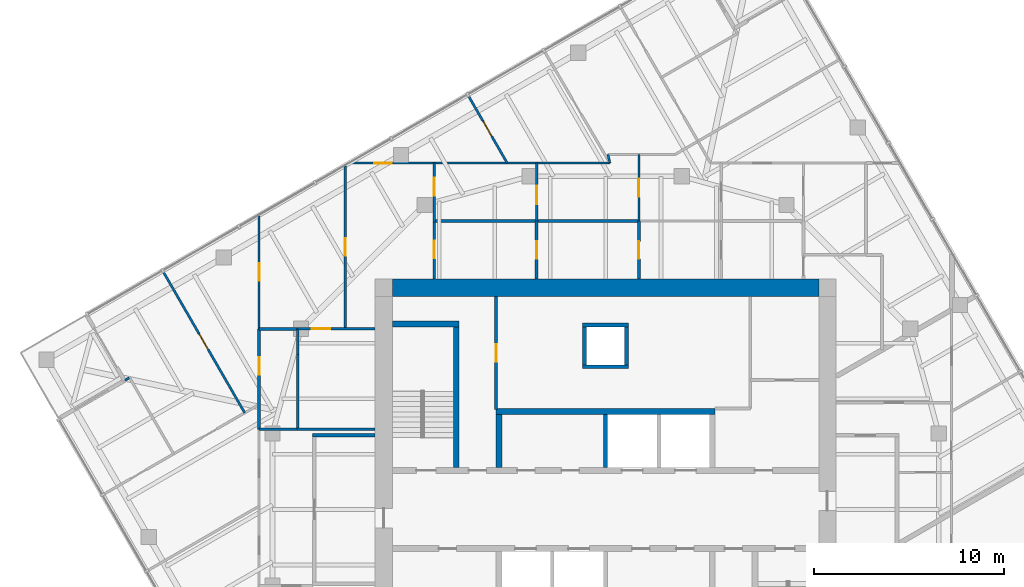
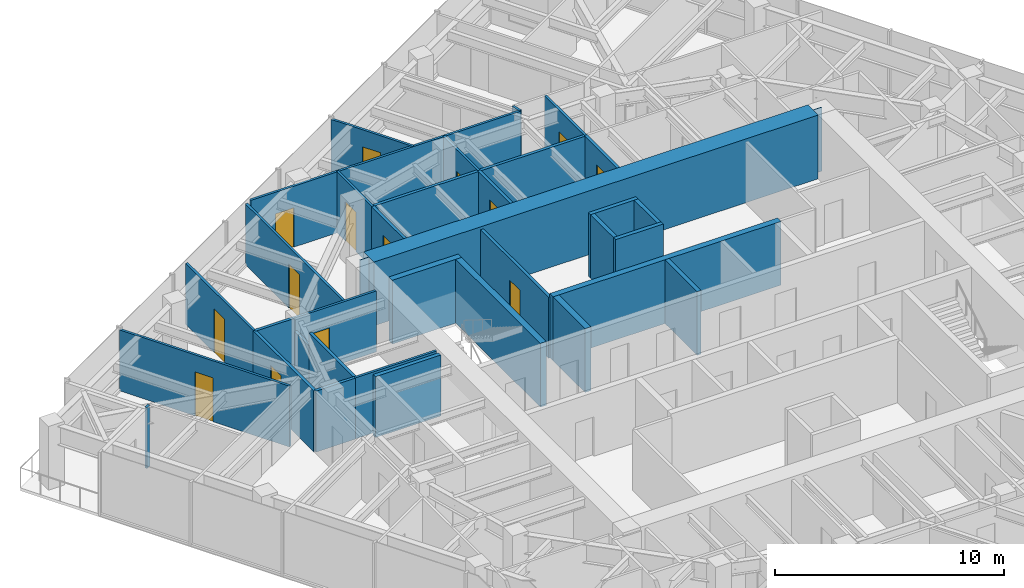
# One storey, part 10 of 13: 33 walls, 14 doors, 14 openings.
"""IFC4 building model written with IfcOpenShell, lengths in metres."""

from ifc_helpers import new_model, si_unit, direction, frame, frame_2d, origin, place, context, subcontext, project, spatial, polyline, rectangle, outline, extrude, material, layer, layer_set, type_object, element, fill, save


model = new_model("IFC4")

# Units and contexts
model_context = context("Model", 3, precision=1e-05, world=origin(), true_north=direction((0.0, 1.0)))
body_context = subcontext(model_context, "Body", "Model", "MODEL_VIEW")
ifc_project = project(units=[si_unit("LENGTHUNIT", "METRE"), si_unit("AREAUNIT", "SQUARE_METRE"), si_unit("VOLUMEUNIT", "CUBIC_METRE"), si_unit("PLANEANGLEUNIT", "RADIAN"), si_unit("MASSUNIT", "GRAM", prefix="KILO")], contexts=[model_context])

# Site, building, storey
site_placement = place(None, origin())
site = spatial("IfcSite", under=ifc_project, at=site_placement, CompositionType="ELEMENT")
building_placement = place(site_placement, origin())
building = spatial("IfcBuilding", under=site, at=building_placement, Name="Torsade Residences", CompositionType="ELEMENT")
storey_placement = place(building_placement, frame((0.0, 0.0, 228.60009765625)))
storey = spatial("IfcBuildingStorey", under=building, at=storey_placement, Name="L63", CompositionType="ELEMENT", Elevation=228.60009765625)

# Walls
ifc_material_1 = material(Name="Concrete 80 MPa", Category="concrete")
ifc_layer_1 = layer(ifc_material_1, 0.300048828125)
ifc_layer_set_1 = layer_set([ifc_layer_1], Name="Concrete 80 MPa")
wall_type_1 = type_object("IfcWallType", Name="CORE INTERNAL WALL 300", PredefinedType="SHEAR", material=ifc_layer_set_1)
wall_1_placement = place(storey_placement, frame((34.25, 35.14990234375, 0.0), z_axis=(0.0, 0.0, 1.0), x_axis=(1.0, 0.0, 0.0)))
element("IfcWall", 1, at=wall_1_placement, inside=storey, type_object=wall_type_1, Name="Core wall BN L63", PredefinedType="SHEAR", context=body_context, shape_type="SweptSolid", body=[
    extrude(rectangle(XDim=11.5, YDim=0.300048828125, at=frame_2d((5.75, 0.0))), origin(), (0.0, 0.0, 1.0), 3.39990234375),
])
wall_2_placement = place(storey_placement, frame((34.39990234375, 32.199951171875, 0.0), z_axis=(0.0, 0.0, 1.0), x_axis=(0.0, 1.0, 0.0)))
element("IfcWall", 2, at=wall_2_placement, inside=storey, type_object=wall_type_1, Name="Core wall DN0 L63", PredefinedType="SHEAR", context=body_context, shape_type="SweptSolid", body=[
    extrude(rectangle(XDim=2.800048828125, YDim=0.300048828125, at=frame_2d((1.39990234375, 0.0))), origin(), (0.0, 0.0, 1.0), 3.39990234375),
])
wall_3_placement = place(storey_placement, frame((32.14990234375, 32.199951171875, 0.0), z_axis=(0.0, 0.0, 1.0), x_axis=(0.0, 1.0, 0.0)))
element("IfcWall", 3, at=wall_3_placement, inside=storey, type_object=wall_type_1, Name="Core wall ST1E L63", PredefinedType="SHEAR", context=body_context, shape_type="SweptSolid", body=[
    extrude(rectangle(XDim=7.699951171875, YDim=0.300048828125, at=frame_2d((3.85009765625, 0.0))), origin(), (0.0, 0.0, 1.0), 3.39990234375),
])
wall_4_placement = place(storey_placement, frame((28.800048828125, 39.75, 0.0), z_axis=(0.0, 0.0, 1.0), x_axis=(1.0, 0.0, 0.0)))
element("IfcWall", 4, at=wall_4_placement, inside=storey, type_object=wall_type_1, Name="Core wall ST1N L63", PredefinedType="SHEAR", context=body_context, shape_type="SweptSolid", body=[
    extrude(rectangle(XDim=3.5, YDim=0.300048828125, at=frame_2d((1.75, 0.0))), origin(), (0.0, 0.0, 1.0), 3.39990234375),
])
ifc_material_2 = material(Name="Concrete 80 MPa", Category="concrete")
ifc_layer_2 = layer(ifc_material_2, 0.89990234375)
ifc_layer_set_2 = layer_set([ifc_layer_2], Name="Concrete 80 MPa")
wall_type_2 = type_object("IfcWallType", Name="CORE WALL 900", PredefinedType="SHEAR", material=ifc_layer_set_2)
wall_5_placement = place(storey_placement, frame((28.800048828125, 41.64990234375, 0.0), z_axis=(0.0, 0.0, 1.0), x_axis=(1.0, 0.0, 0.0)))
element("IfcWall", 5, at=wall_5_placement, inside=storey, type_object=wall_type_2, Name="Core wall N L63", PredefinedType="SHEAR", context=body_context, shape_type="SweptSolid", body=[
    extrude(outline(polyline([(0.0, -0.449951171875), (22.39990234375, -0.449951171875), (22.39990234375, -0.02490234375), (22.849853515625, -0.02490234375), (22.849853515625, 0.02490234375), (22.39990234375, 0.02490234375), (22.39990234375, 0.449951171875), (0.0, 0.449951171875), (0.0, 0.02490234375), (-0.449951171875, 0.02490234375), (-0.449951171875, -0.02490234375), (0.0, -0.02490234375), (0.0, -0.449951171875)])), origin(), (0.0, 0.0, 1.0), 3.39990234375),
])
ifc_material_3 = material(Name="Plasterboard on steel stud", Category="steel")
ifc_layer_3 = layer(ifc_material_3, 0.199951171875)
ifc_layer_set_3 = layer_set([ifc_layer_3], Name="Plasterboard on steel stud")
wall_type_3 = type_object("IfcWallType", Name="CORRIDOR WALL 200", PredefinedType="PARTITIONING", material=ifc_layer_set_3)
wall_6_placement = place(storey_placement, frame((27.89990234375, 33.89990234375, 0.0), z_axis=(0.0, 0.0, 1.0), x_axis=(-1.0, 0.0, 0.0)))
element("IfcWall", 6, at=wall_6_placement, inside=storey, type_object=wall_type_3, Name="Corridor wall L63", PredefinedType="PARTITIONING", context=body_context, shape_type="SweptSolid", body=[
    extrude(rectangle(XDim=3.2998046875, YDim=0.199951171875, at=frame_2d((1.64990234375, 0.0))), origin(), (0.0, 0.0, 1.0), 3.25),
])
ifc_material_4 = material(Name="Reinforced blockwork", Category="masonry")
ifc_layer_4 = layer(ifc_material_4, 0.199951171875)
ifc_layer_set_4 = layer_set([ifc_layer_4], Name="Reinforced blockwork")
wall_type_4 = type_object("IfcWallType", Name="LIFT SHAFT DIVIDING WALL 200", PredefinedType="SOLIDWALL", material=ifc_layer_set_4)
wall_7_placement = place(storey_placement, frame((40.0, 32.199951171875, 0.0), z_axis=(0.0, 0.0, 1.0), x_axis=(0.0, 1.0, 0.0)))
element("IfcWall", 7, at=wall_7_placement, inside=storey, type_object=wall_type_4, Name="Core wall DN2 L63", PredefinedType="SOLIDWALL", context=body_context, shape_type="SweptSolid", body=[
    extrude(rectangle(XDim=2.800048828125, YDim=0.199951171875, at=frame_2d((1.39990234375, 0.0))), origin(), (0.0, 0.0, 1.0), 3.39990234375),
])
ifc_material_5 = material(Name="Plasterboard on steel stud", Category="steel")
ifc_layer_5 = layer(ifc_material_5, 0.1201171875)
ifc_layer_set_5 = layer_set([ifc_layer_5], Name="Plasterboard on steel stud")
wall_type_5 = type_object("IfcWallType", Name="PARTITION 120", PredefinedType="PARTITIONING", material=ifc_layer_set_5)
wall_8_placement = place(storey_placement, frame((23.783203125, 34.2158203125, 0.0), z_axis=(0.0, 0.0, 1.0), x_axis=(1.0, 0.0, 0.0)))
element("IfcWall", 8, at=wall_8_placement, inside=storey, type_object=wall_type_5, Name="Partition L63", PredefinedType="PARTITIONING", context=body_context, shape_type="SweptSolid", body=[
    extrude(rectangle(XDim=4.11669921875, YDim=0.1201171875, at=frame_2d((2.058349609375, 0.0))), origin(), (0.0, 0.0, 1.0), 3.25),
])

# Wall, opening, door
wall_9_placement = place(storey_placement, frame((26.322021484375, 39.489501953125, 0.0), z_axis=(0.0, 0.0, 1.0), x_axis=(0.0, 1.0, 0.0)))
wall_9 = element("IfcWall", 9, at=wall_9_placement, inside=storey, type_object=wall_type_5, Name="Partition L63", PredefinedType="PARTITIONING", context=body_context, shape_type="SweptSolid", body=[
    extrude(rectangle(XDim=8.548095703125, YDim=0.1201171875, at=frame_2d((4.27392578125, 0.0))), origin(), (0.0, 0.0, 1.0), 3.25),
])
opening_1_placement = place(wall_9_placement, frame((3.837158203125, 0.0, 0.0)))
opening_1 = element("IfcOpeningElement", 10, at=opening_1_placement, cuts=wall_9, Name="Opening D02", PredefinedType="OPENING", context=body_context, shape_type="SweptSolid", body=[
    extrude(rectangle(XDim=0.919921875, YDim=2.340087890625, at=frame_2d((0.4599609375, 1.169921875))), frame((0.0, 0.070068359375, 0.0), z_axis=(0.0, -1.0, 0.0), x_axis=(1.0, 0.0, 0.0)), (0.0, 0.0, 1.0), 0.14013671875),
])
ifc_material_6 = material(Name="Hollow-core timber door", Category="wood")
door_type_1 = type_object("IfcDoorType", Name="INTERNAL DOOR 920x2340", OperationType="NOTDEFINED", PredefinedType="DOOR", material=ifc_material_6)
door_1_placement = place(opening_1_placement, origin())
door_1 = element("IfcDoor", 11, at=door_1_placement, inside=storey, type_object=door_type_1, Name="Door Pantry to Scullery", OperationType="SINGLE_SWING_LEFT", OverallHeight=2.340087890625, OverallWidth=0.919921875, PredefinedType="DOOR", context=body_context, shape_type="SweptSolid", body=[
    extrude(rectangle(XDim=0.919921875, YDim=2.340087890625, at=frame_2d((0.4599609375, 1.169921875))), frame((0.0, 0.02490234375, 0.0), z_axis=(0.0, -1.0, 0.0), x_axis=(1.0, 0.0, 0.0)), (0.0, 0.0, 1.0), 0.050048828125),
])
fill(opening_1, door_1)

wall_10_placement = place(storey_placement, frame((27.89990234375, 39.489501953125, 0.0), z_axis=(0.0, 0.0, 1.0), x_axis=(-1.0, 0.0, 0.0)))
wall_10 = element("IfcWall", 12, at=wall_10_placement, inside=storey, type_object=wall_type_5, Name="Partition L63", PredefinedType="PARTITIONING", context=body_context, shape_type="SweptSolid", body=[
    extrude(rectangle(XDim=4.116455078125, YDim=0.1201171875, at=frame_2d((2.05810546875, 0.0))), origin(), (0.0, 0.0, 1.0), 3.25),
])
opening_2_placement = place(wall_10_placement, frame((2.367431640625, 0.0, 0.0)))
opening_2 = element("IfcOpeningElement", 13, at=opening_2_placement, cuts=wall_10, Name="Opening D05", PredefinedType="OPENING", context=body_context, shape_type="SweptSolid", body=[
    extrude(rectangle(XDim=0.9599609375, YDim=2.10009765625, at=frame_2d((0.47998046875, 1.050048828125))), frame((0.0, 0.070068359375, 0.0), z_axis=(0.0, -1.0, 0.0), x_axis=(1.0, 0.0, 0.0)), (0.0, 0.0, 1.0), 0.14013671875),
])
ifc_material_7 = material(Name="Hollow-core timber door in a steel cavity frame", Category="steel")
door_type_2 = type_object("IfcDoorType", Name="BATHROOM CAVITY SLIDING DOOR 960", OperationType="SLIDING_TO_LEFT", PredefinedType="DOOR", material=ifc_material_7)
door_2_placement = place(opening_2_placement, origin())
door_2 = element("IfcDoor", 14, at=door_2_placement, inside=storey, type_object=door_type_2, Name="Door Pantry to Laundry", OperationType="SLIDING_TO_LEFT", OverallHeight=2.10009765625, OverallWidth=0.9599609375, PredefinedType="DOOR", context=body_context, shape_type="SweptSolid", body=[
    extrude(rectangle(XDim=0.9599609375, YDim=2.10009765625, at=frame_2d((0.47998046875, 1.050048828125))), frame((0.0, 0.02490234375, 0.0), z_axis=(0.0, -1.0, 0.0), x_axis=(1.0, 0.0, 0.0)), (0.0, 0.0, 1.0), 0.050048828125),
])
fill(opening_2, door_2)

wall_11_placement = place(storey_placement, frame((31.002685546875, 48.199951171875, 0.0), z_axis=(0.0, 0.0, 1.0), x_axis=(0.0, -1.0, 0.0)))
wall_11 = element("IfcWall", 15, at=wall_11_placement, inside=storey, type_object=wall_type_5, Name="Partition L63", PredefinedType="PARTITIONING", context=body_context, shape_type="SweptSolid", body=[
    extrude(rectangle(XDim=3.099853515625, YDim=0.1201171875, at=frame_2d((1.5498046875, 0.0))), origin(), (0.0, 0.0, 1.0), 3.25),
])
opening_3_placement = place(wall_11_placement, frame((0.77001953125, 0.0, 0.0)))
opening_3 = element("IfcOpeningElement", 16, at=opening_3_placement, cuts=wall_11, Name="Opening D05", PredefinedType="OPENING", context=body_context, shape_type="SweptSolid", body=[
    extrude(rectangle(XDim=0.9599609375, YDim=2.10009765625, at=frame_2d((0.47998046875, 1.050048828125))), frame((0.0, 0.070068359375, 0.0), z_axis=(0.0, -1.0, 0.0), x_axis=(1.0, 0.0, 0.0)), (0.0, 0.0, 1.0), 0.14013671875),
])
door_3_placement = place(opening_3_placement, origin())
door_3 = element("IfcDoor", 17, at=door_3_placement, inside=storey, type_object=door_type_2, Name="Door Scullery to Laundry 2", OperationType="SLIDING_TO_LEFT", OverallHeight=2.10009765625, OverallWidth=0.9599609375, PredefinedType="DOOR", context=body_context, shape_type="SweptSolid", body=[
    extrude(rectangle(XDim=0.9599609375, YDim=2.10009765625, at=frame_2d((0.47998046875, 1.050048828125))), frame((0.0, 0.02490234375, 0.0), z_axis=(0.0, -1.0, 0.0), x_axis=(1.0, 0.0, 0.0)), (0.0, 0.0, 1.0), 0.050048828125),
])
fill(opening_3, door_3)

wall_12_placement = place(storey_placement, frame((26.603271484375, 48.199951171875, 0.0), z_axis=(0.0, 0.0, 1.0), x_axis=(1.0, 0.0, 0.0)))
wall_12 = element("IfcWall", 18, at=wall_12_placement, inside=storey, type_object=wall_type_5, Name="Partition L63", PredefinedType="PARTITIONING", context=body_context, shape_type="SweptSolid", body=[
    extrude(rectangle(XDim=13.619873046875, YDim=0.1201171875, at=frame_2d((6.81005859375, 0.0))), origin(), (0.0, 0.0, 1.0), 3.25),
])
opening_4_placement = place(wall_12_placement, frame((1.249755859375, 0.0, 0.0)))
opening_4 = element("IfcOpeningElement", 19, at=opening_4_placement, cuts=wall_12, Name="Opening D02L", PredefinedType="OPENING", context=body_context, shape_type="SweptSolid", body=[
    extrude(rectangle(XDim=0.919921875, YDim=2.10009765625, at=frame_2d((0.4599609375, 1.050048828125))), frame((0.0, 0.070068359375, 0.0), z_axis=(0.0, -1.0, 0.0), x_axis=(1.0, 0.0, 0.0)), (0.0, 0.0, 1.0), 0.14013671875),
])
ifc_material_8 = material(Name="Hollow-core timber door", Category="wood")
door_type_3 = type_object("IfcDoorType", Name="INTERNAL DOOR 920x2100", OperationType="NOTDEFINED", PredefinedType="DOOR", material=ifc_material_8)
door_4_placement = place(opening_4_placement, origin())
door_4 = element("IfcDoor", 20, at=door_4_placement, inside=storey, type_object=door_type_3, Name="Door Scullery to Media room 3", OperationType="SINGLE_SWING_RIGHT", OverallHeight=2.10009765625, OverallWidth=0.919921875, PredefinedType="DOOR", context=body_context, shape_type="SweptSolid", body=[
    extrude(rectangle(XDim=0.919921875, YDim=2.10009765625, at=frame_2d((0.4599609375, 1.050048828125))), frame((0.0, 0.02490234375, 0.0), z_axis=(0.0, -1.0, 0.0), x_axis=(1.0, 0.0, 0.0)), (0.0, 0.0, 1.0), 0.050048828125),
])
fill(opening_4, door_4)

wall_13_placement = place(storey_placement, frame((21.800048828125, 39.489501953125, 0.0), z_axis=(0.0, 0.0, 1.0), x_axis=(0.0, 1.0, 0.0)))
wall_13 = element("IfcWall", 21, at=wall_13_placement, inside=storey, type_object=wall_type_5, Name="Partition L63", PredefinedType="PARTITIONING", context=body_context, shape_type="SweptSolid", body=[
    extrude(rectangle(XDim=5.937255859375, YDim=0.1201171875, at=frame_2d((2.96875, 0.0))), origin(), (0.0, 0.0, 1.0), 3.25),
])
opening_5_placement = place(wall_13_placement, frame((2.53173828125, 0.0, 0.0)))
opening_5 = element("IfcOpeningElement", 22, at=opening_5_placement, cuts=wall_13, Name="Opening D02", PredefinedType="OPENING", context=body_context, shape_type="SweptSolid", body=[
    extrude(rectangle(XDim=0.919921875, YDim=2.340087890625, at=frame_2d((0.4599609375, 1.169921875))), frame((0.0, 0.070068359375, 0.0), z_axis=(0.0, -1.0, 0.0), x_axis=(1.0, 0.0, 0.0)), (0.0, 0.0, 1.0), 0.14013671875),
])
door_5_placement = place(opening_5_placement, origin())
door_5 = element("IfcDoor", 23, at=door_5_placement, inside=storey, type_object=door_type_1, Name="Door Media room to Pantry", OperationType="SINGLE_SWING_LEFT", OverallHeight=2.340087890625, OverallWidth=0.919921875, PredefinedType="DOOR", context=body_context, shape_type="SweptSolid", body=[
    extrude(rectangle(XDim=0.919921875, YDim=2.340087890625, at=frame_2d((0.4599609375, 1.169921875))), frame((0.0, 0.02490234375, 0.0), z_axis=(0.0, -1.0, 0.0), x_axis=(1.0, 0.0, 0.0)), (0.0, 0.0, 1.0), 0.050048828125),
])
fill(opening_5, door_5)

wall_14_placement = place(storey_placement, frame((41.75341796875, 45.14990234375, 0.0), z_axis=(0.0, 0.0, 1.0), x_axis=(0.0, 1.0, 0.0)))
wall_14 = element("IfcWall", 24, at=wall_14_placement, inside=storey, type_object=wall_type_5, Name="Partition L63", PredefinedType="PARTITIONING", context=body_context, shape_type="SweptSolid", body=[
    extrude(rectangle(XDim=3.5, YDim=0.1201171875, at=frame_2d((1.75, 0.0))), origin(), (0.0, 0.0, 1.0), 3.25),
])
opening_6_placement = place(wall_14_placement, frame((1.27001953125, 0.0, 0.0)))
opening_6 = element("IfcOpeningElement", 25, at=opening_6_placement, cuts=wall_14, Name="Opening D05", PredefinedType="OPENING", context=body_context, shape_type="SweptSolid", body=[
    extrude(rectangle(XDim=0.9599609375, YDim=2.10009765625, at=frame_2d((0.47998046875, 1.050048828125))), frame((0.0, 0.070068359375, 0.0), z_axis=(0.0, -1.0, 0.0), x_axis=(1.0, 0.0, 0.0)), (0.0, 0.0, 1.0), 0.14013671875),
])
door_6_placement = place(opening_6_placement, origin())
door_6 = element("IfcDoor", 26, at=door_6_placement, inside=storey, type_object=door_type_2, Name="Door Walk-in robe to Ensuite", OperationType="SLIDING_TO_LEFT", OverallHeight=2.10009765625, OverallWidth=0.9599609375, PredefinedType="DOOR", context=body_context, shape_type="SweptSolid", body=[
    extrude(rectangle(XDim=0.9599609375, YDim=2.10009765625, at=frame_2d((0.47998046875, 1.050048828125))), frame((0.0, 0.02490234375, 0.0), z_axis=(0.0, -1.0, 0.0), x_axis=(1.0, 0.0, 0.0)), (0.0, 0.0, 1.0), 0.050048828125),
])
fill(opening_6, door_6)

wall_15_placement = place(storey_placement, frame((36.378173828125, 48.199951171875, 0.0), z_axis=(0.0, 0.0, 1.0), x_axis=(0.0, -1.0, 0.0)))
wall_15 = element("IfcWall", 27, at=wall_15_placement, inside=storey, type_object=wall_type_5, Name="Partition L63", PredefinedType="PARTITIONING", context=body_context, shape_type="SweptSolid", body=[
    extrude(rectangle(XDim=3.050048828125, YDim=0.1201171875, at=frame_2d((1.52490234375, 0.0))), origin(), (0.0, 0.0, 1.0), 3.25),
])
opening_7_placement = place(wall_15_placement, frame((1.195068359375, 0.0, 0.0)))
opening_7 = element("IfcOpeningElement", 28, at=opening_7_placement, cuts=wall_15, Name="Opening D05", PredefinedType="OPENING", context=body_context, shape_type="SweptSolid", body=[
    extrude(rectangle(XDim=0.9599609375, YDim=2.10009765625, at=frame_2d((0.47998046875, 1.050048828125))), frame((0.0, 0.070068359375, 0.0), z_axis=(0.0, -1.0, 0.0), x_axis=(1.0, 0.0, 0.0)), (0.0, 0.0, 1.0), 0.14013671875),
])
door_7_placement = place(opening_7_placement, origin())
door_7 = element("IfcDoor", 29, at=door_7_placement, inside=storey, type_object=door_type_2, Name="Door Laundry 2 to Walk-in robe", OperationType="SLIDING_TO_LEFT", OverallHeight=2.10009765625, OverallWidth=0.9599609375, PredefinedType="DOOR", context=body_context, shape_type="SweptSolid", body=[
    extrude(rectangle(XDim=0.9599609375, YDim=2.10009765625, at=frame_2d((0.47998046875, 1.050048828125))), frame((0.0, 0.02490234375, 0.0), z_axis=(0.0, -1.0, 0.0), x_axis=(1.0, 0.0, 0.0)), (0.0, 0.0, 1.0), 0.050048828125),
])
fill(opening_7, door_7)

# Wall
wall_16_placement = place(storey_placement, frame((40.22314453125, 48.199951171875, 0.0), z_axis=(0.0, 0.0, 1.0), x_axis=(-0.21665001594, 0.976249338332, 0.0)))
element("IfcWall", 30, at=wall_16_placement, inside=storey, type_object=wall_type_5, Name="Partition L63", PredefinedType="PARTITIONING", context=body_context, shape_type="SweptSolid", body=[
    extrude(rectangle(XDim=0.4609375, YDim=0.1201171875, at=frame_2d((0.23046875, 0.0))), origin(), (0.0, 0.0, 1.0), 3.25),
])

# Wall, opening, door
wall_17_placement = place(storey_placement, frame((16.75390625, 42.513427734375, 0.0), z_axis=(0.0, 0.0, 1.0), x_axis=(0.500017009237, -0.866015583274, 0.0)))
wall_17 = element("IfcWall", 31, at=wall_17_placement, inside=storey, type_object=wall_type_5, Name="Partition L63", PredefinedType="PARTITIONING", context=body_context, shape_type="SweptSolid", body=[
    extrude(rectangle(XDim=8.585693359375, YDim=0.1201171875, at=frame_2d((4.29296875, 0.0))), origin(), (0.0, 0.0, 1.0), 3.25),
])
opening_8_placement = place(wall_17_placement, frame((3.812744140625, 0.0, 0.0)))
opening_8 = element("IfcOpeningElement", 32, at=opening_8_placement, cuts=wall_17, Name="Opening D02", PredefinedType="OPENING", context=body_context, shape_type="SweptSolid", body=[
    extrude(rectangle(XDim=0.919921875, YDim=2.340087890625, at=frame_2d((0.4599609375, 1.169921875))), frame((0.0, 0.070068359375, 0.0), z_axis=(0.0, -1.0, 0.0), x_axis=(1.0, 0.0, 0.0)), (0.0, 0.0, 1.0), 0.14013671875),
])
door_8_placement = place(opening_8_placement, origin())
door_8 = element("IfcDoor", 33, at=door_8_placement, inside=storey, type_object=door_type_1, Name="Door Bedroom 2 to Media room", OperationType="SINGLE_SWING_RIGHT", OverallHeight=2.340087890625, OverallWidth=0.919921875, PredefinedType="DOOR", context=body_context, shape_type="SweptSolid", body=[
    extrude(rectangle(XDim=0.919921875, YDim=2.340087890625, at=frame_2d((0.4599609375, 1.169921875))), frame((0.0, 0.02490234375, 0.0), z_axis=(0.0, -1.0, 0.0), x_axis=(1.0, 0.0, 0.0)), (0.0, 0.0, 1.0), 0.050048828125),
])
fill(opening_8, door_8)

# Wall
wall_18_placement = place(storey_placement, frame((14.975830078125, 36.9140625, 0.0), z_axis=(0.0, 0.0, 1.0), x_axis=(-0.86640078905, -0.499349249257, 0.0)))
element("IfcWall", 34, at=wall_18_placement, inside=storey, type_object=wall_type_5, Name="Partition L63", PredefinedType="PARTITIONING", context=body_context, shape_type="SweptSolid", body=[
    extrude(rectangle(XDim=0.245361328125, YDim=0.1201171875, at=frame_2d((0.12255859375, 0.0))), origin(), (0.0, 0.0, 1.0), 3.25),
])

# Wall, opening, door
wall_19_placement = place(storey_placement, frame((34.832763671875, 48.199951171875, 0.0), z_axis=(0.0, 0.0, 1.0), x_axis=(-0.499999798456, 0.866025520146, 0.0)))
wall_19 = element("IfcWall", 35, at=wall_19_placement, inside=storey, type_object=wall_type_5, Name="Partition L63", PredefinedType="PARTITIONING", context=body_context, shape_type="SweptSolid", body=[
    extrude(rectangle(XDim=4.11474609375, YDim=0.1201171875, at=frame_2d((2.057373046875, 0.0))), origin(), (0.0, 0.0, 1.0), 3.25),
])
opening_9_placement = place(wall_19_placement, frame((1.617431640625, 0.0, 0.0)))
opening_9 = element("IfcOpeningElement", 36, at=opening_9_placement, cuts=wall_19, Name="Opening D02", PredefinedType="OPENING", context=body_context, shape_type="SweptSolid", body=[
    extrude(rectangle(XDim=0.919921875, YDim=2.340087890625, at=frame_2d((0.4599609375, 1.169921875))), frame((0.0, 0.070068359375, 0.0), z_axis=(0.0, -1.0, 0.0), x_axis=(1.0, 0.0, 0.0)), (0.0, 0.0, 1.0), 0.14013671875),
])
door_9_placement = place(opening_9_placement, origin())
door_9 = element("IfcDoor", 37, at=door_9_placement, inside=storey, type_object=door_type_1, Name="Door Media room 3 to Family room 2", OperationType="SINGLE_SWING_LEFT", OverallHeight=2.340087890625, OverallWidth=0.919921875, PredefinedType="DOOR", context=body_context, shape_type="SweptSolid", body=[
    extrude(rectangle(XDim=0.919921875, YDim=2.340087890625, at=frame_2d((0.4599609375, 1.169921875))), frame((0.0, 0.02490234375, 0.0), z_axis=(0.0, -1.0, 0.0), x_axis=(1.0, 0.0, 0.0)), (0.0, 0.0, 1.0), 0.050048828125),
])
fill(opening_9, door_9)

# Walls
ifc_material_9 = material(Name="Reinforced blockwork", Category="masonry")
ifc_layer_6 = layer(ifc_material_9, 0.199951171875)
ifc_layer_set_6 = layer_set([ifc_layer_6], Name="Reinforced blockwork")
wall_type_6 = type_object("IfcWallType", Name="RISER SHAFT WALL 200", PredefinedType="SOLIDWALL", material=ifc_layer_set_6)
for number, where, z_axis, x_axis, name in (
    (38, (38.89990234375, 37.60009765625, 0.0), (0.0, 0.0, 1.0), (0.0, 1.0, 0.0), "Core wall RS1a L63"),
    (39, (41.10009765625, 37.60009765625, 0.0), (0.0, 0.0, 1.0), (0.0, 1.0, 0.0), "Core wall RS1b L63"),
):
    element("IfcWall", number, at=place(storey_placement, frame(where, z_axis=z_axis, x_axis=x_axis)), inside=storey, type_object=wall_type_6, Name=name, PredefinedType="SOLIDWALL", context=body_context, shape_type="SweptSolid", body=[
        extrude(rectangle(XDim=2.0, YDim=0.199951171875, at=frame_2d((1.0, 0.0))), origin(), (0.0, 0.0, 1.0), 3.39990234375),
    ])
for number, where, z_axis, x_axis, name in (
    (40, (38.800048828125, 37.5, 0.0), (0.0, 0.0, 1.0), (1.0, 0.0, 0.0), "Core wall RS1c L63"),
    (41, (38.800048828125, 39.699951171875, 0.0), (0.0, 0.0, 1.0), (1.0, 0.0, 0.0), "Core wall RS1d L63"),
):
    element("IfcWall", number, at=place(storey_placement, frame(where, z_axis=z_axis, x_axis=x_axis)), inside=storey, type_object=wall_type_6, Name=name, PredefinedType="SOLIDWALL", context=body_context, shape_type="SweptSolid", body=[
        extrude(rectangle(XDim=2.39990234375, YDim=0.199951171875, at=frame_2d((1.199951171875, 0.0))), origin(), (0.0, 0.0, 1.0), 3.39990234375),
    ])

# Wall, opening, door
ifc_material_10 = material(Name="Reinforced blockwork", Category="masonry")
ifc_layer_7 = layer(ifc_material_10, 0.14990234375)
ifc_layer_set_7 = layer_set([ifc_layer_7], Name="Reinforced blockwork")
wall_type_7 = type_object("IfcWallType", Name="SERVICE ROOM WALL 150", PredefinedType="SOLIDWALL", material=ifc_layer_set_7)
wall_20_placement = place(storey_placement, frame((34.25, 41.199951171875, 0.0), z_axis=(0.0, 0.0, 1.0), x_axis=(0.0, -1.0, 0.0)))
wall_20 = element("IfcWall", 42, at=wall_20_placement, inside=storey, type_object=wall_type_7, Name="Service room wall L63", PredefinedType="SOLIDWALL", context=body_context, shape_type="SweptSolid", body=[
    extrude(rectangle(XDim=5.949951171875, YDim=0.14990234375, at=frame_2d((2.97509765625, 0.0))), origin(), (0.0, 0.0, 1.0), 3.25),
])
opening_10_placement = place(wall_20_placement, frame((2.514892578125, 0.0, 0.0)))
opening_10 = element("IfcOpeningElement", 43, at=opening_10_placement, cuts=wall_20, Name="Opening D06", PredefinedType="OPENING", context=body_context, shape_type="SweptSolid", body=[
    extrude(rectangle(XDim=0.919921875, YDim=2.10009765625, at=frame_2d((0.4599609375, 1.050048828125))), frame((0.0, 0.0849609375, 0.0), z_axis=(0.0, -1.0, 0.0), x_axis=(1.0, 0.0, 0.0)), (0.0, 0.0, 1.0), 0.169921875),
])
ifc_material_11 = material(Name="Steel-framed fire door", Category="steel")
door_type_4 = type_object("IfcDoorType", Name="FIRE DOOR 920", OperationType="NOTDEFINED", PredefinedType="DOOR", material=ifc_material_11)
door_10_placement = place(opening_10_placement, origin())
door_10 = element("IfcDoor", 44, at=door_10_placement, inside=storey, type_object=door_type_4, Name="Door Main switchboard store to Electrical riser room", OperationType="SINGLE_SWING_LEFT", OverallHeight=2.10009765625, OverallWidth=0.919921875, PredefinedType="DOOR", context=body_context, shape_type="SweptSolid", body=[
    extrude(rectangle(XDim=0.919921875, YDim=2.10009765625, at=frame_2d((0.4599609375, 1.050048828125))), frame((0.0, 0.02490234375, 0.0), z_axis=(0.0, -1.0, 0.0), x_axis=(1.0, 0.0, 0.0)), (0.0, 0.0, 1.0), 0.050048828125),
])
fill(opening_10, door_10)

# Wall
wall_21_placement = place(storey_placement, frame((21.800048828125, 34.2158203125, 0.0), z_axis=(0.0, 0.0, 1.0), x_axis=(1.0, 0.0, 0.0)))
element("IfcWall", 45, at=wall_21_placement, inside=storey, type_object=wall_type_7, Name="Service room wall L63", PredefinedType="SOLIDWALL", context=body_context, shape_type="SweptSolid", body=[
    extrude(rectangle(XDim=1.983154296875, YDim=0.14990234375, at=frame_2d((0.99169921875, 0.0))), origin(), (0.0, 0.0, 1.0), 3.25),
])

# Wall, opening, door
wall_22_placement = place(storey_placement, frame((31.002685546875, 45.10009765625, 0.0), z_axis=(0.0, 0.0, 1.0), x_axis=(0.0, -1.0, 0.0)))
wall_22 = element("IfcWall", 46, at=wall_22_placement, inside=storey, type_object=wall_type_7, Name="Service room wall L63", PredefinedType="SOLIDWALL", context=body_context, shape_type="SweptSolid", body=[
    extrude(rectangle(XDim=3.0, YDim=0.14990234375, at=frame_2d((1.5, 0.0))), origin(), (0.0, 0.0, 1.0), 3.25),
])
opening_11_placement = place(wall_22_placement, frame((0.989990234375, 0.0, 0.0)))
opening_11 = element("IfcOpeningElement", 47, at=opening_11_placement, cuts=wall_22, Name="Opening D02", PredefinedType="OPENING", context=body_context, shape_type="SweptSolid", body=[
    extrude(rectangle(XDim=0.919921875, YDim=2.340087890625, at=frame_2d((0.4599609375, 1.169921875))), frame((0.0, 0.0849609375, 0.0), z_axis=(0.0, -1.0, 0.0), x_axis=(1.0, 0.0, 0.0)), (0.0, 0.0, 1.0), 0.169921875),
])
door_11_placement = place(opening_11_placement, origin())
door_11 = element("IfcDoor", 48, at=door_11_placement, inside=storey, type_object=door_type_1, Name="Door Scullery to Linen store 4", OperationType="SINGLE_SWING_LEFT", OverallHeight=2.340087890625, OverallWidth=0.919921875, PredefinedType="DOOR", context=body_context, shape_type="SweptSolid", body=[
    extrude(rectangle(XDim=0.919921875, YDim=2.340087890625, at=frame_2d((0.4599609375, 1.169921875))), frame((0.0, 0.02490234375, 0.0), z_axis=(0.0, -1.0, 0.0), x_axis=(1.0, 0.0, 0.0)), (0.0, 0.0, 1.0), 0.050048828125),
])
fill(opening_11, door_11)

# Walls
wall_23_placement = place(storey_placement, frame((23.783447265625, 39.489501953125, 0.0), z_axis=(0.0, 0.0, 1.0), x_axis=(-1.0, 0.0, 0.0)))
element("IfcWall", 49, at=wall_23_placement, inside=storey, type_object=wall_type_7, Name="Service room wall L63", PredefinedType="SOLIDWALL", context=body_context, shape_type="SweptSolid", body=[
    extrude(rectangle(XDim=1.9833984375, YDim=0.14990234375, at=frame_2d((0.99169921875, 0.0))), origin(), (0.0, 0.0, 1.0), 3.25),
])
wall_24_placement = place(storey_placement, frame((23.833251953125, 34.2158203125, 0.0), z_axis=(0.0, 0.0, 1.0), x_axis=(0.0, 1.0, 0.0)))
element("IfcWall", 50, at=wall_24_placement, inside=storey, type_object=wall_type_7, Name="Service room wall L63", PredefinedType="SOLIDWALL", context=body_context, shape_type="SweptSolid", body=[
    extrude(rectangle(XDim=3.923095703125, YDim=0.14990234375, at=frame_2d((1.96142578125, 0.0))), origin(), (0.0, 0.0, 1.0), 3.25),
])
wall_25_placement = place(storey_placement, frame((23.833251953125, 38.138916015625, 0.0), z_axis=(0.0, 0.0, 1.0), x_axis=(0.0, 1.0, 0.0)))
element("IfcWall", 51, at=wall_25_placement, inside=storey, type_object=wall_type_7, Name="Service room wall L63", PredefinedType="SOLIDWALL", context=body_context, shape_type="SweptSolid", body=[
    extrude(rectangle(XDim=1.3505859375, YDim=0.14990234375, at=frame_2d((0.67529296875, 0.0))), origin(), (0.0, 0.0, 1.0), 2.5498046875),
])

# Wall, opening, door
wall_26_placement = place(storey_placement, frame((41.75341796875, 42.10009765625, 0.0), z_axis=(0.0, 0.0, 1.0), x_axis=(0.0, 1.0, 0.0)))
wall_26 = element("IfcWall", 52, at=wall_26_placement, inside=storey, type_object=wall_type_7, Name="Service room wall L63", PredefinedType="SOLIDWALL", context=body_context, shape_type="SweptSolid", body=[
    extrude(rectangle(XDim=3.0498046875, YDim=0.14990234375, at=frame_2d((1.52490234375, 0.0))), origin(), (0.0, 0.0, 1.0), 3.25),
])
opening_12_placement = place(wall_26_placement, frame((1.06494140625, 0.0, 0.0)))
opening_12 = element("IfcOpeningElement", 53, at=opening_12_placement, cuts=wall_26, Name="Opening D02", PredefinedType="OPENING", context=body_context, shape_type="SweptSolid", body=[
    extrude(rectangle(XDim=0.919921875, YDim=2.340087890625, at=frame_2d((0.4599609375, 1.169921875))), frame((0.0, 0.0849609375, 0.0), z_axis=(0.0, -1.0, 0.0), x_axis=(1.0, 0.0, 0.0)), (0.0, 0.0, 1.0), 0.169921875),
])
door_12_placement = place(opening_12_placement, origin())
door_12 = element("IfcDoor", 54, at=door_12_placement, inside=storey, type_object=door_type_1, Name="Door Store to Dressing room 3", OperationType="SINGLE_SWING_RIGHT", OverallHeight=2.340087890625, OverallWidth=0.919921875, PredefinedType="DOOR", context=body_context, shape_type="SweptSolid", body=[
    extrude(rectangle(XDim=0.919921875, YDim=2.340087890625, at=frame_2d((0.4599609375, 1.169921875))), frame((0.0, 0.02490234375, 0.0), z_axis=(0.0, -1.0, 0.0), x_axis=(1.0, 0.0, 0.0)), (0.0, 0.0, 1.0), 0.050048828125),
])
fill(opening_12, door_12)

# Wall
wall_27_placement = place(storey_placement, frame((41.75341796875, 45.14990234375, 0.0), z_axis=(0.0, 0.0, 1.0), x_axis=(-1.0, 0.0, 0.0)))
element("IfcWall", 55, at=wall_27_placement, inside=storey, type_object=wall_type_7, Name="Service room wall L63", PredefinedType="SOLIDWALL", context=body_context, shape_type="SweptSolid", body=[
    extrude(rectangle(XDim=10.750732421875, YDim=0.14990234375, at=frame_2d((5.37548828125, 0.0))), origin(), (0.0, 0.0, 1.0), 3.25),
])

# Wall, opening, door
wall_28_placement = place(storey_placement, frame((36.378173828125, 45.14990234375, 0.0), z_axis=(0.0, 0.0, 1.0), x_axis=(0.0, -1.0, 0.0)))
wall_28 = element("IfcWall", 56, at=wall_28_placement, inside=storey, type_object=wall_type_7, Name="Service room wall L63", PredefinedType="SOLIDWALL", context=body_context, shape_type="SweptSolid", body=[
    extrude(rectangle(XDim=3.0498046875, YDim=0.14990234375, at=frame_2d((1.52490234375, 0.0))), origin(), (0.0, 0.0, 1.0), 3.25),
])
opening_13_placement = place(wall_28_placement, frame((1.06494140625, 0.0, 0.0)))
opening_13 = element("IfcOpeningElement", 57, at=opening_13_placement, cuts=wall_28, Name="Opening D02", PredefinedType="OPENING", context=body_context, shape_type="SweptSolid", body=[
    extrude(rectangle(XDim=0.919921875, YDim=2.340087890625, at=frame_2d((0.4599609375, 1.169921875))), frame((0.0, 0.0849609375, 0.0), z_axis=(0.0, -1.0, 0.0), x_axis=(1.0, 0.0, 0.0)), (0.0, 0.0, 1.0), 0.169921875),
])
door_13_placement = place(opening_13_placement, origin())
door_13 = element("IfcDoor", 58, at=door_13_placement, inside=storey, type_object=door_type_1, Name="Door Linen store 4 to Store", OperationType="SINGLE_SWING_LEFT", OverallHeight=2.340087890625, OverallWidth=0.919921875, PredefinedType="DOOR", context=body_context, shape_type="SweptSolid", body=[
    extrude(rectangle(XDim=0.919921875, YDim=2.340087890625, at=frame_2d((0.4599609375, 1.169921875))), frame((0.0, 0.02490234375, 0.0), z_axis=(0.0, -1.0, 0.0), x_axis=(1.0, 0.0, 0.0)), (0.0, 0.0, 1.0), 0.050048828125),
])
fill(opening_13, door_13)

wall_29_placement = place(storey_placement, frame((21.800048828125, 39.489501953125, 0.0), z_axis=(0.0, 0.0, 1.0), x_axis=(0.0, -1.0, 0.0)))
wall_29 = element("IfcWall", 59, at=wall_29_placement, inside=storey, type_object=wall_type_7, Name="Service room wall L63", PredefinedType="SOLIDWALL", context=body_context, shape_type="SweptSolid", body=[
    extrude(rectangle(XDim=5.273681640625, YDim=0.14990234375, at=frame_2d((2.63671875, 0.0))), origin(), (0.0, 0.0, 1.0), 3.25),
])
opening_14_placement = place(wall_29_placement, frame((1.5029296875, 0.0, 0.0)))
opening_14 = element("IfcOpeningElement", 60, at=opening_14_placement, cuts=wall_29, Name="Opening D02", PredefinedType="OPENING", context=body_context, shape_type="SweptSolid", body=[
    extrude(rectangle(XDim=0.919921875, YDim=2.340087890625, at=frame_2d((0.4599609375, 1.169921875))), frame((0.0, 0.0849609375, 0.0), z_axis=(0.0, -1.0, 0.0), x_axis=(1.0, 0.0, 0.0)), (0.0, 0.0, 1.0), 0.169921875),
])
door_14_placement = place(opening_14_placement, origin())
door_14 = element("IfcDoor", 61, at=door_14_placement, inside=storey, type_object=door_type_1, Name="Door Media room to Linen store 7", OperationType="SINGLE_SWING_LEFT", OverallHeight=2.340087890625, OverallWidth=0.919921875, PredefinedType="DOOR", context=body_context, shape_type="SweptSolid", body=[
    extrude(rectangle(XDim=0.919921875, YDim=2.340087890625, at=frame_2d((0.4599609375, 1.169921875))), frame((0.0, 0.02490234375, 0.0), z_axis=(0.0, -1.0, 0.0), x_axis=(1.0, 0.0, 0.0)), (0.0, 0.0, 1.0), 0.050048828125),
])
fill(opening_14, door_14)

save(model, "model.ifc")
